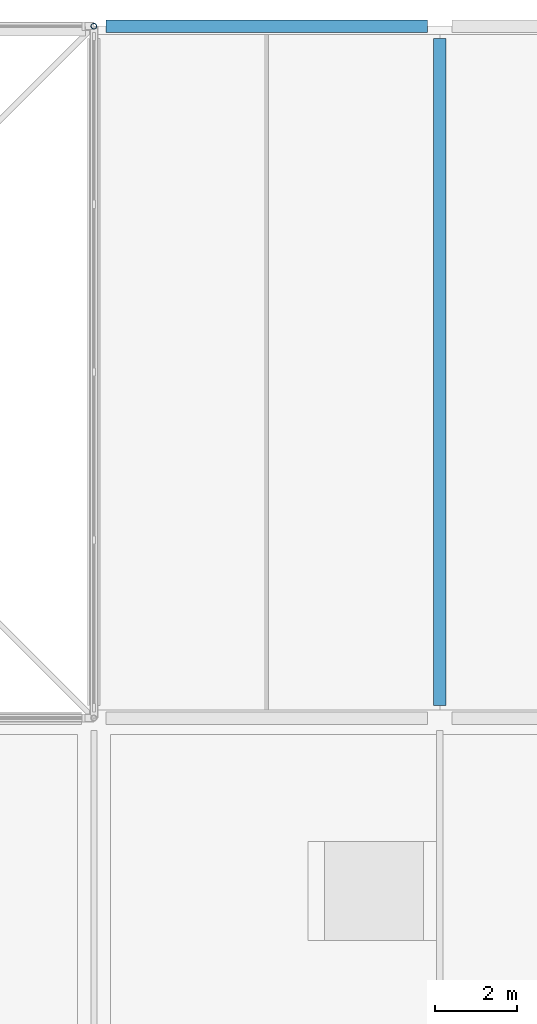
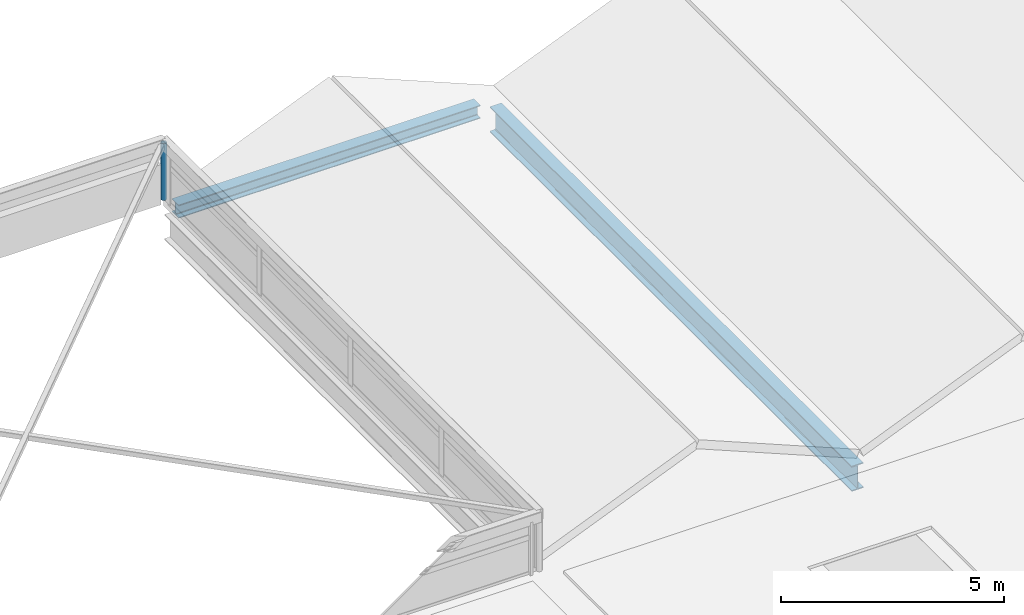
# One storey, part 8 of 14: 2 beams, 1 member.
"""IFC4 building model written with IfcOpenShell, lengths in metres."""

from ifc_helpers import new_model, si_unit, direction, frame, origin, origin_2d, place, context, subcontext, project, spatial, hollow_circle, i_section, extrude, material, material_profile, profile_set, type_object, element, save


model = new_model("IFC4")

# Units and contexts
model_context = context("Model", 3, precision=1e-05, world=origin(), true_north=direction((0.0, 1.0)))
body_context = subcontext(model_context, "Body", "Model", "MODEL_VIEW")
ifc_project = project(units=[si_unit("LENGTHUNIT", "METRE"), si_unit("AREAUNIT", "SQUARE_METRE"), si_unit("VOLUMEUNIT", "CUBIC_METRE"), si_unit("PLANEANGLEUNIT", "RADIAN"), si_unit("MASSUNIT", "GRAM", prefix="KILO")], contexts=[model_context])

# Site, building, storey
site_placement = place(None, origin())
site = spatial("IfcSite", under=ifc_project, at=site_placement, CompositionType="ELEMENT")
building_placement = place(site_placement, origin())
building = spatial("IfcBuilding", under=site, at=building_placement, Name="Qawsi Khor Wholesale Market", CompositionType="ELEMENT")
storey_placement = place(building_placement, frame((0.0, 0.0, 20.699951171875)))
storey = spatial("IfcBuildingStorey", under=building, at=storey_placement, Name="RF", CompositionType="ELEMENT", Elevation=20.699951171875)

# Beam
ifc_material = material(Name="Steel S355", Category="steel")
ifc_material_profile_1 = material_profile(ifc_material, i_section(OverallWidth=0.300048828125, OverallDepth=0.360107421875, WebThickness=0.012451171875, FlangeThickness=0.0224609375, FilletRadius=0.027099609375, at=origin_2d()), Name="HEB 360")
ifc_profile_set_1 = profile_set([ifc_material_profile_1], Name="Steel S355")
beam_type_1 = type_object("IfcBeamType", Name="Heavy Edge Girder HEB 360", PredefinedType="BEAM", material=ifc_profile_set_1)
beam_1_placement = place(storey_placement, frame((67.5, 42.0, -0.419921875), z_axis=(1.0, 0.0, 0.0), x_axis=(0.0, 1.0, 0.0)))
element("IfcBeam", 1, at=beam_1_placement, inside=storey, type_object=beam_type_1, Name="BM-X-RF-08_+05", PredefinedType="BEAM", context=body_context, shape_type="SweptSolid", body=[
    extrude(i_section(OverallWidth=0.300048828125, OverallDepth=0.360107421875, WebThickness=0.012451171875, FlangeThickness=0.0224609375, FilletRadius=0.027099609375, at=origin_2d()), origin(), (0.0, 0.0, 1.0), 7.800048828125),
])

# Member
ifc_material_profile_2 = material_profile(ifc_material, hollow_circle(Radius=0.06982421875, WallThickness=0.00634765625, at=origin_2d()), Name="CHS 139.7x6.3")
ifc_profile_set_2 = profile_set([ifc_material_profile_2], Name="Steel S355")
member_type = type_object("IfcMemberType", Name="Lantern Corner Strut CHS 139.7x6.3", PredefinedType="STRUT", material=ifc_profile_set_2)
member_placement = place(storey_placement, frame((67.199951171875, 42.0, -0.050048828125), z_axis=(0.0, 0.0, 1.0), x_axis=(1.0, 0.0, 0.0)))
element("IfcMember", 2, at=member_placement, inside=storey, type_object=member_type, Name="Atrium lantern corner post WAT-3", PredefinedType="STRUT", context=body_context, shape_type="SweptSolid", body=[
    extrude(hollow_circle(Radius=0.06982421875, WallThickness=0.00634765625, at=origin_2d()), origin(), (0.0, 0.0, 1.0), 1.550048828125),
])

# Beam
ifc_material_profile_3 = material_profile(ifc_material, i_section(OverallWidth=0.300048828125, OverallDepth=0.68994140625, WebThickness=0.014404296875, FlangeThickness=0.027099609375, FilletRadius=0.027099609375, at=origin_2d()), Name="HEA 700")
ifc_profile_set_3 = profile_set([ifc_material_profile_3], Name="Steel S355")
beam_type_2 = type_object("IfcBeamType", Name="Primary Girder HEA 700", PredefinedType="BEAM", material=ifc_profile_set_3)
beam_2_placement = place(storey_placement, frame((75.60009765625, 25.5, -0.5849609375), z_axis=(0.0, 1.0, 0.0), x_axis=(-1.0, 0.0, 0.0)))
element("IfcBeam", 3, at=beam_2_placement, inside=storey, type_object=beam_type_2, Name="BM-YL-RF-09_+03", PredefinedType="BEAM", context=body_context, shape_type="SweptSolid", body=[
    extrude(i_section(OverallWidth=0.300048828125, OverallDepth=0.68994140625, WebThickness=0.014404296875, FlangeThickness=0.027099609375, FilletRadius=0.027099609375, at=origin_2d()), origin(), (0.0, 0.0, 1.0), 16.199951171875),
])

save(model, "model.ifc")
